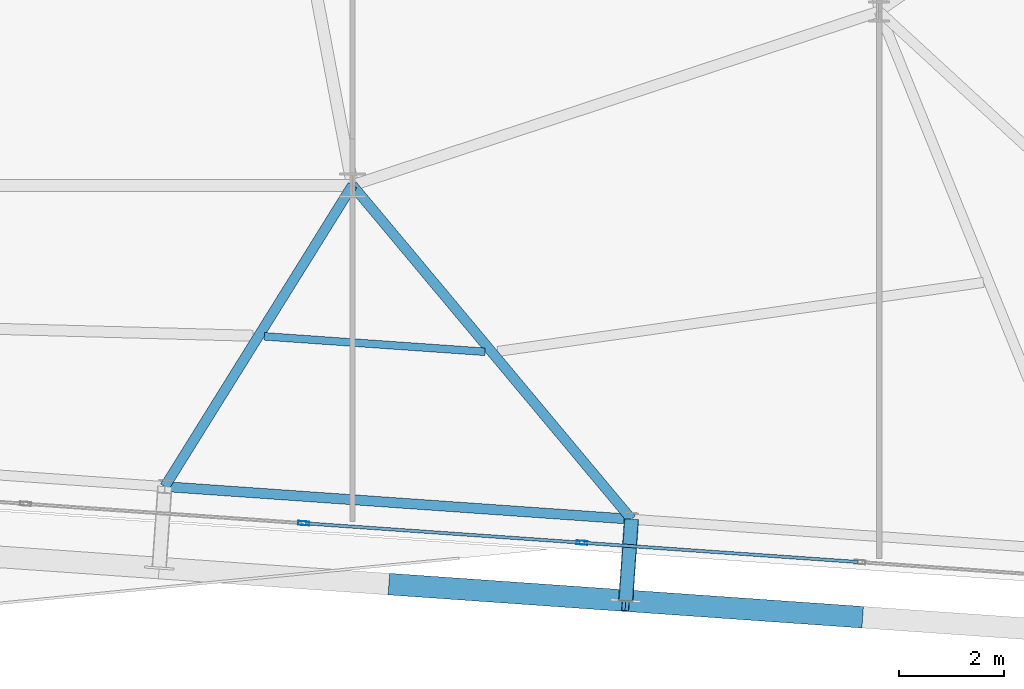
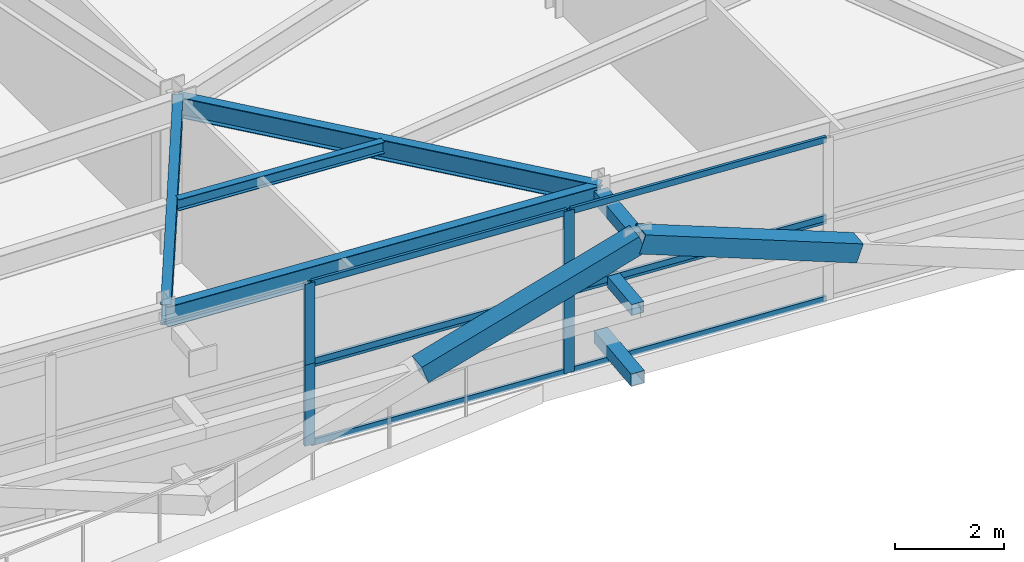
# One storey, part 13 of 36: 17 members, 4 beams, 2 elements without a shape of their own.
"""IFC4 building model written with IfcOpenShell, lengths in metres."""

from ifc_helpers import new_model, si_unit, direction, frame, origin, origin_2d, place, context, subcontext, project, spatial, hollow_rectangle, i_section, extrude, source, transform, mapped, material, layer, layer_set, material_profile, profile_set, type_object, element, aggregate, save


model = new_model("IFC4")

# Units and contexts
model_context = context("Model", 3, precision=1e-05, world=origin(), true_north=direction((0.0, 1.0)))
body_context = subcontext(model_context, "Body", "Model", "MODEL_VIEW")
ifc_project = project(units=[si_unit("LENGTHUNIT", "METRE"), si_unit("AREAUNIT", "SQUARE_METRE"), si_unit("VOLUMEUNIT", "CUBIC_METRE"), si_unit("PLANEANGLEUNIT", "RADIAN"), si_unit("MASSUNIT", "GRAM", prefix="KILO")], contexts=[model_context])

# Site, building, storey
site_placement = place(None, origin())
site = spatial("IfcSite", under=ifc_project, at=site_placement, CompositionType="ELEMENT")
building_placement = place(site_placement, origin())
building = spatial("IfcBuilding", under=site, at=building_placement, Name="Taldren Reach Tower", CompositionType="ELEMENT")
storey_placement = place(building_placement, frame((0.0, 0.0, 116.550048828125)))
storey = spatial("IfcBuildingStorey", under=building, at=storey_placement, Name="L35", CompositionType="ELEMENT", Elevation=116.550048828125)

# Members
ifc_material_1 = material(Name="Steel Gr 450 (C450L0)", Category="steel")
ifc_material_profile_1 = material_profile(ifc_material_1, hollow_rectangle(XDim=0.27490234375, YDim=0.27490234375, WallThickness=0.00927734375, at=origin_2d()), Name="275x275x9.3SHS")
ifc_profile_set_1 = profile_set([ifc_material_profile_1], Name="Steel Gr 450 (C450L0)")
member_type_1 = type_object("IfcMemberType", Name="MB-TIE273", PredefinedType="STRUT", material=ifc_profile_set_1)
shared_shape_1 = source(origin(), body_context, "Body", "SweptSolid", [
    extrude(hollow_rectangle(XDim=0.27490234375, YDim=0.27490234375, WallThickness=0.00927734375, at=origin_2d()), origin(), (0.0, 0.0, 1.0), 1.5498046875),
])
for number, where, z_axis, x_axis, name in (
    (1, (47.297119140625, 2.860595703125, 3.349853515625), (-0.069780535098, -0.997562367434, 0.0), (0.997562367434, -0.069780535098, 0.0), "Exoskeleton diaphragm tie strut B3-S5 L35"),
    (2, (47.297119140625, 2.860595703125, 0.219970703125), (-0.069780535098, -0.997562367434, 0.0), (0.997562367434, -0.069780535098, 0.0), "Exoskeleton base diaphragm tie strut B3-S5 L35"),
):
    element("IfcMember", number, at=place(storey_placement, frame(where, z_axis=z_axis, x_axis=x_axis)), inside=storey, type_object=member_type_1, Name=name, PredefinedType="STRUT", context=body_context, shape_type="MappedRepresentation", body=[
        mapped(shared_shape_1, transform((0.0, 0.0, 0.0), scale=1.0)),
    ])
ifc_material_2 = material(Name="Steel Gr 350 (C350L0)", Category="steel")
ifc_material_profile_2 = material_profile(ifc_material_2, hollow_rectangle(XDim=0.25, YDim=0.25, WallThickness=0.010009765625, at=origin_2d()), Name="250x250x10.0SHS")
ifc_profile_set_2 = profile_set([ifc_material_profile_2], Name="Steel Gr 350 (C350L0)")
member_type_2 = type_object("IfcMemberType", Name="MB-POST250", PredefinedType="POST", material=ifc_profile_set_2)
shared_shape_2 = source(origin(), body_context, "Body", "SweptSolid", [
    extrude(hollow_rectangle(XDim=0.25, YDim=0.25, WallThickness=0.010009765625, at=origin_2d()), origin(), (0.0, 0.0, 1.0), 1.5498046875),
])
member_1_placement = place(storey_placement, frame((47.297119140625, 2.860595703125, 1.784912109375), z_axis=(-0.069780535098, -0.997562367434, 0.0), x_axis=(0.997562367434, -0.069780535098, 0.0)))
element("IfcMember", 3, at=member_1_placement, inside=storey, type_object=member_type_2, Name="Exoskeleton mid-tier diaphragm tie B3-S5 L35", PredefinedType="POST", context=body_context, shape_type="MappedRepresentation", body=[
    mapped(shared_shape_2, transform((0.0, 0.0, 0.0), scale=1.0)),
])

# Beams
ifc_material_3 = material(Name="Steel Gr 350 (350PLUS)", Category="steel")
ifc_material_profile_3 = material_profile(ifc_material_3, i_section(OverallWidth=0.18994140625, OverallDepth=0.4541015625, WebThickness=0.008544921875, FlangeThickness=0.0126953125, at=origin_2d()), Name="460UB67.1")
ifc_profile_set_3 = profile_set([ifc_material_profile_3], Name="Steel Gr 350 (350PLUS)")
beam_type_1 = type_object("IfcBeamType", Name="SP-UB460B", PredefinedType="SPANDREL", material=ifc_profile_set_3)
shared_shape_3 = source(origin(), body_context, "Body", "SweptSolid", [
    extrude(i_section(OverallWidth=0.18994140625, OverallDepth=0.4541015625, WebThickness=0.008544921875, FlangeThickness=0.0126953125, at=origin_2d()), origin(), (0.0, 0.0, 1.0), 8.880126953125),
])
beam_1_placement = place(storey_placement, frame((38.438720703125, 3.480224609375, 3.40283203125), z_axis=(0.997562566276, -0.06977769246, 0.0), x_axis=(0.06977769246, 0.997562566276, 0.0)))
element("IfcBeam", 4, at=beam_1_placement, inside=storey, type_object=beam_type_1, Name="Perimeter spandrel B3 S4-S5 L35", PredefinedType="SPANDREL", context=body_context, shape_type="MappedRepresentation", body=[
    mapped(shared_shape_3, transform((0.0, 0.0, 0.0), scale=1.0)),
])
ifc_material_profile_4 = material_profile(ifc_material_3, i_section(OverallWidth=0.19091796875, OverallDepth=0.4599609375, WebThickness=0.010009765625, FlangeThickness=0.01611328125, at=origin_2d()), Name="460UB82.1")
ifc_profile_set_4 = profile_set([ifc_material_profile_4], Name="Steel Gr 350 (350PLUS)")
beam_type_2 = type_object("IfcBeamType", Name="BM-UB460A", PredefinedType="BEAM", material=ifc_profile_set_4)
shared_shape_4 = source(origin(), body_context, "Body", "SweptSolid", [
    extrude(i_section(OverallWidth=0.19091796875, OverallDepth=0.4599609375, WebThickness=0.010009765625, FlangeThickness=0.01611328125, at=origin_2d()), origin(), (0.0, 0.0, 1.0), 6.73779296875),
])
beam_2_placement = place(storey_placement, frame((42.0, 9.199951171875, 3.39990234375), z_axis=(-0.528552048024, -0.848900896765, 0.0), x_axis=(0.848900896765, -0.528552048024, 0.0)))
element("IfcBeam", 5, at=beam_2_placement, inside=storey, type_object=beam_type_2, Name="Primary floor girder B3-S4 L35", PredefinedType="BEAM", context=body_context, shape_type="MappedRepresentation", body=[
    mapped(shared_shape_4, transform((0.0, 0.0, 0.0), scale=1.0)),
])
shared_shape_5 = source(origin(), body_context, "Body", "SweptSolid", [
    extrude(i_section(OverallWidth=0.19091796875, OverallDepth=0.4599609375, WebThickness=0.010009765625, FlangeThickness=0.01611328125, at=origin_2d()), origin(), (0.0, 0.0, 1.0), 8.26123046875),
])
beam_3_placement = place(storey_placement, frame((42.0, 9.199951171875, 3.39990234375), z_axis=(0.64120703686, -0.767367927322, 0.0), x_axis=(0.767367927322, 0.64120703686, 0.0)))
element("IfcBeam", 6, at=beam_3_placement, inside=storey, type_object=beam_type_2, Name="Primary floor girder B3-S5 L35", PredefinedType="BEAM", context=body_context, shape_type="MappedRepresentation", body=[
    mapped(shared_shape_5, transform((0.0, 0.0, 0.0), scale=1.0)),
])
ifc_material_4 = material(Name="Steel Gr 300 (300PLUS, 300 MPa)", Category="steel")
ifc_material_profile_5 = material_profile(ifc_material_4, i_section(OverallWidth=0.14599609375, OverallDepth=0.256103515625, WebThickness=0.00634765625, FlangeThickness=0.010986328125, at=origin_2d()), Name="250UB37.3")
ifc_profile_set_5 = profile_set([ifc_material_profile_5], Name="Steel Gr 300 (300PLUS, 300 MPa)")
beam_type_3 = type_object("IfcBeamType", Name="JS-UB250", PredefinedType="JOIST", material=ifc_profile_set_5)
shared_shape_6 = source(origin(), body_context, "Body", "SweptSolid", [
    extrude(i_section(OverallWidth=0.14599609375, OverallDepth=0.256103515625, WebThickness=0.00634765625, FlangeThickness=0.010986328125, at=origin_2d()), origin(), (0.0, 0.0, 1.0), 4.199462890625),
])
beam_4_placement = place(storey_placement, frame((40.3271484375, 6.33251953125, 3.501953125), z_axis=(0.99756354117, -0.069763753681, 0.0), x_axis=(0.069763753681, 0.99756354117, 0.0)))
element("IfcBeam", 7, at=beam_4_placement, inside=storey, type_object=beam_type_3, Name="Secondary floor joist B3 J4 L35", PredefinedType="JOIST", context=body_context, shape_type="MappedRepresentation", body=[
    mapped(shared_shape_6, transform((0.0, 0.0, 0.0), scale=1.0)),
])

# Members
ifc_material_profile_6 = material_profile(ifc_material_1, hollow_rectangle(XDim=0.409912109375, YDim=0.409912109375, WallThickness=0.01611328125, at=origin_2d()), Name="410x410x16.0SHS")
ifc_profile_set_6 = profile_set([ifc_material_profile_6], Name="Steel Gr 450 (C450L0)")
member_type_3 = type_object("IfcMemberType", Name="MB-EXO406", PredefinedType="BRACE", material=ifc_profile_set_6)
shared_shape_7 = source(origin(), body_context, "Body", "SweptSolid", [
    extrude(hollow_rectangle(XDim=0.409912109375, YDim=0.409912109375, WallThickness=0.01611328125, at=origin_2d()), origin(), (0.0, 0.0, 1.0), 4.707763671875),
])
for number, where, z_axis, x_axis, name in (
    (8, (42.759765625, 1.624267578125, 1.784912109375), (0.940833091628, -0.065809568585, 0.332418703414), (0.06977769246, 0.997562566276, 0.0), "Exoskeleton Diagrid Brace B3-S4 L35"),
    (9, (51.6181640625, 1.004638671875, 1.784912109375), (-0.940833091628, 0.065809568585, 0.332418703414), (-0.06977769246, -0.997562566276, 0.0), "Exoskeleton Diagrid Brace B3-S5 L35"),
):
    element("IfcMember", number, at=place(storey_placement, frame(where, z_axis=z_axis, x_axis=x_axis)), inside=storey, type_object=member_type_3, Name=name, PredefinedType="BRACE", context=body_context, shape_type="MappedRepresentation", body=[
        mapped(shared_shape_7, transform((0.0, 0.0, 0.0), scale=1.0)),
    ])

# Curtain wall, members
ifc_material_5 = material(Name="Aluminium and Low-E Glass Unitised System", Category="aluminium")
ifc_layer = layer(ifc_material_5, 0.159912109375)
ifc_layer_set = layer_set([ifc_layer], Name="Aluminium and Low-E Glass Unitised System")
curtain_wall_type = type_object("IfcCurtainWallType", Name="CW-SYS-7", PredefinedType="NOTDEFINED", material=ifc_layer_set)
curtain_wall_1_placement = place(storey_placement, origin())
curtain_wall_1 = element("IfcCurtainWall", 10, at=curtain_wall_1_placement, inside=storey, type_object=curtain_wall_type, Name="Unitised curtain wall CW-L35-S2", PredefinedType="NOTDEFINED")
ifc_material_6 = material(Name="Anodised Aluminium 6063-T6", Category="aluminium")
ifc_material_profile_7 = material_profile(ifc_material_6, hollow_rectangle(XDim=0.074951171875, YDim=0.2099609375, WallThickness=0.00439453125, at=origin_2d()), Name="ALU-210x75x4.5RHS")
ifc_profile_set_7 = profile_set([ifc_material_profile_7], Name="Anodised Aluminium 6063-T6")
member_type_4 = type_object("IfcMemberType", Name="CW-MUL-200", PredefinedType="MULLION", material=ifc_profile_set_7)
shared_shape_8 = source(origin(), body_context, "Body", "SweptSolid", [
    extrude(hollow_rectangle(XDim=0.074951171875, YDim=0.2099609375, WallThickness=0.00439453125, at=origin_2d()), origin(), (0.0, 0.0, 1.0), 1.81494140625),
])
member_2_placement = place(storey_placement, frame((41.0751953125, 2.784423828125, 0.0), z_axis=(0.0, 0.0, 1.0), x_axis=(0.069756548088, 0.997564045061, 0.0)))
member_2 = element("IfcMember", 11, at=member_2_placement, type_object=member_type_4, Name="CW-7 mullion 6", PredefinedType="MULLION", context=body_context, shape_type="MappedRepresentation", body=[
    mapped(shared_shape_8, transform((0.0, 0.0, 0.0), scale=1.0)),
])
member_3_placement = place(storey_placement, frame((46.356201171875, 2.415283203125, 0.0), z_axis=(0.0, 0.0, 1.0), x_axis=(0.069756548088, 0.997564045061, 0.0)))
member_3 = element("IfcMember", 12, at=member_3_placement, type_object=member_type_4, Name="CW-7 mullion 7", PredefinedType="MULLION", context=body_context, shape_type="MappedRepresentation", body=[
    mapped(shared_shape_8, transform((0.0, 0.0, 0.0), scale=1.0)),
])

curtain_wall_2_placement = place(storey_placement, origin())
curtain_wall_2 = element("IfcCurtainWall", 13, at=curtain_wall_2_placement, inside=storey, type_object=curtain_wall_type, Name="Unitised curtain wall CW-L35-S2-T2", PredefinedType="NOTDEFINED")
member_4_placement = place(storey_placement, frame((41.0751953125, 2.784423828125, 1.81494140625), z_axis=(0.0, 0.0, 1.0), x_axis=(0.069756548088, 0.997564045061, 0.0)))
member_4 = element("IfcMember", 14, at=member_4_placement, type_object=member_type_4, Name="CW-7 mullion 6", PredefinedType="MULLION", context=body_context, shape_type="MappedRepresentation", body=[
    mapped(shared_shape_8, transform((0.0, 0.0, 0.0), scale=1.0)),
])
member_5_placement = place(storey_placement, frame((46.356201171875, 2.415283203125, 1.81494140625), z_axis=(0.0, 0.0, 1.0), x_axis=(0.069756548088, 0.997564045061, 0.0)))
member_5 = element("IfcMember", 15, at=member_5_placement, type_object=member_type_4, Name="CW-7 mullion 7", PredefinedType="MULLION", context=body_context, shape_type="MappedRepresentation", body=[
    mapped(shared_shape_8, transform((0.0, 0.0, 0.0), scale=1.0)),
])

# Member
ifc_material_profile_8 = material_profile(ifc_material_6, hollow_rectangle(XDim=0.06005859375, YDim=0.135009765625, WallThickness=0.00341796875, at=origin_2d()), Name="ALU-135x60x3.5RHS")
ifc_profile_set_8 = profile_set([ifc_material_profile_8], Name="Anodised Aluminium 6063-T6")
member_type_5 = type_object("IfcMemberType", Name="CW-TRN-150", PredefinedType="USERDEFINED", material=ifc_profile_set_8)
shared_shape_9 = source(origin(), body_context, "Body", "SweptSolid", [
    extrude(hollow_rectangle(XDim=0.06005859375, YDim=0.135009765625, WallThickness=0.00341796875, at=origin_2d()), origin(), (0.0, 0.0, 1.0), 5.21875),
])
member_6_placement = place(storey_placement, frame((41.11279296875, 2.781982421875, 0.030029296875), z_axis=(0.997561182564, -0.069797471599, 0.0), x_axis=(0.069797471599, 0.997561182564, 0.0)))
member_6 = element("IfcMember", 16, at=member_6_placement, type_object=member_type_5, Name="CW-7 transom 6.1", ObjectType="TRANSOM", PredefinedType="USERDEFINED", context=body_context, shape_type="MappedRepresentation", body=[
    mapped(shared_shape_9, transform((0.0, 0.0, 0.0), scale=1.0)),
])

member_7_placement = place(storey_placement, frame((41.11279296875, 2.781982421875, 1.784912109375), z_axis=(0.997561182564, -0.069797471599, 0.0), x_axis=(0.069797471599, 0.997561182564, 0.0)))
member_7 = element("IfcMember", 17, at=member_7_placement, type_object=member_type_5, Name="CW-7 transom 6.2", ObjectType="TRANSOM", PredefinedType="USERDEFINED", context=body_context, shape_type="MappedRepresentation", body=[
    mapped(shared_shape_9, transform((0.0, 0.0, 0.0), scale=1.0)),
])

member_8_placement = place(storey_placement, frame((46.3935546875, 2.41259765625, 0.030029296875), z_axis=(0.997564438731, -0.069750918127, 0.0), x_axis=(0.069750918127, 0.997564438731, 0.0)))
member_8 = element("IfcMember", 18, at=member_8_placement, type_object=member_type_5, Name="CW-7 transom 7.1", ObjectType="TRANSOM", PredefinedType="USERDEFINED", context=body_context, shape_type="MappedRepresentation", body=[
    mapped(shared_shape_9, transform((0.0, 0.0, 0.0), scale=1.0)),
])

member_9_placement = place(storey_placement, frame((46.3935546875, 2.41259765625, 1.784912109375), z_axis=(0.997564438731, -0.069750918127, 0.0), x_axis=(0.069750918127, 0.997564438731, 0.0)))
member_9 = element("IfcMember", 19, at=member_9_placement, type_object=member_type_5, Name="CW-7 transom 7.2", ObjectType="TRANSOM", PredefinedType="USERDEFINED", context=body_context, shape_type="MappedRepresentation", body=[
    mapped(shared_shape_9, transform((0.0, 0.0, 0.0), scale=1.0)),
])

aggregate(curtain_wall_1, [member_2, member_3, member_6, member_7, member_8, member_9])

member_10_placement = place(storey_placement, frame((41.11279296875, 2.781982421875, 1.844970703125), z_axis=(0.997561182564, -0.069797471599, 0.0), x_axis=(0.069797471599, 0.997561182564, 0.0)))
member_10 = element("IfcMember", 20, at=member_10_placement, type_object=member_type_5, Name="CW-7 transom 6.1", ObjectType="TRANSOM", PredefinedType="USERDEFINED", context=body_context, shape_type="MappedRepresentation", body=[
    mapped(shared_shape_9, transform((0.0, 0.0, 0.0), scale=1.0)),
])

member_11_placement = place(storey_placement, frame((41.11279296875, 2.781982421875, 3.599853515625), z_axis=(0.997561182564, -0.069797471599, 0.0), x_axis=(0.069797471599, 0.997561182564, 0.0)))
member_11 = element("IfcMember", 21, at=member_11_placement, type_object=member_type_5, Name="CW-7 transom 6.2", ObjectType="TRANSOM", PredefinedType="USERDEFINED", context=body_context, shape_type="MappedRepresentation", body=[
    mapped(shared_shape_9, transform((0.0, 0.0, 0.0), scale=1.0)),
])

member_12_placement = place(storey_placement, frame((46.3935546875, 2.41259765625, 1.844970703125), z_axis=(0.997564438731, -0.069750918127, 0.0), x_axis=(0.069750918127, 0.997564438731, 0.0)))
member_12 = element("IfcMember", 22, at=member_12_placement, type_object=member_type_5, Name="CW-7 transom 7.1", ObjectType="TRANSOM", PredefinedType="USERDEFINED", context=body_context, shape_type="MappedRepresentation", body=[
    mapped(shared_shape_9, transform((0.0, 0.0, 0.0), scale=1.0)),
])

member_13_placement = place(storey_placement, frame((46.3935546875, 2.41259765625, 3.599853515625), z_axis=(0.997564438731, -0.069750918127, 0.0), x_axis=(0.069750918127, 0.997564438731, 0.0)))
member_13 = element("IfcMember", 23, at=member_13_placement, type_object=member_type_5, Name="CW-7 transom 7.2", ObjectType="TRANSOM", PredefinedType="USERDEFINED", context=body_context, shape_type="MappedRepresentation", body=[
    mapped(shared_shape_9, transform((0.0, 0.0, 0.0), scale=1.0)),
])

aggregate(curtain_wall_2, [member_4, member_5, member_10, member_11, member_12, member_13])

save(model, "model.ifc")
